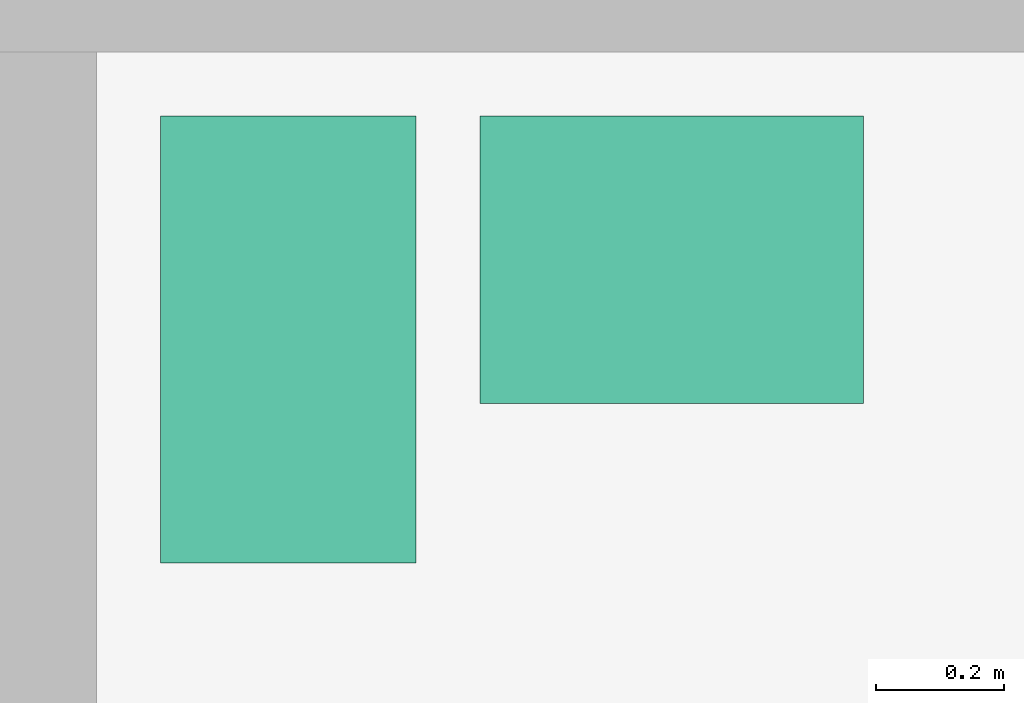
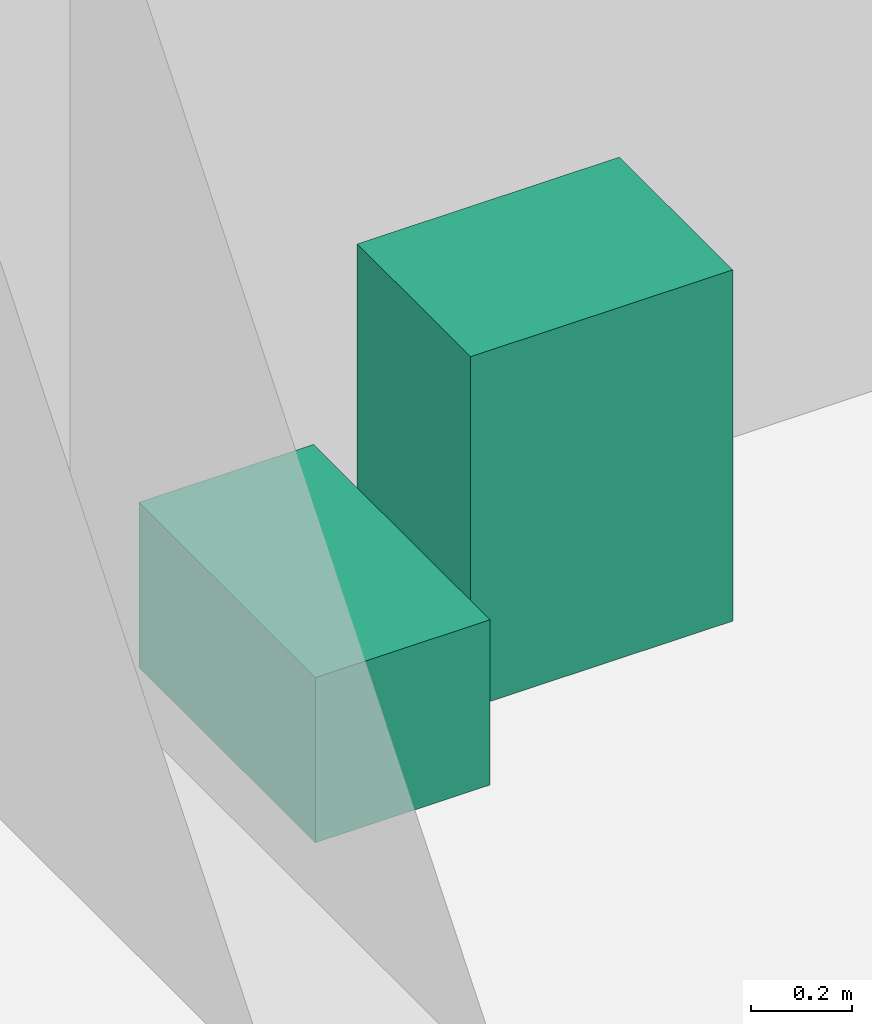
# One storey, part 16 of 16: 2 sanitary terminals.
"""IFC4 building model written with IfcOpenShell, lengths in metres."""

from ifc_helpers import new_model, si_unit, direction, frame, origin, origin_2d, place, context, subcontext, project, spatial, rectangle, extrude, element, save


model = new_model("IFC4")

# Units and contexts
model_context = context("Model", 3, precision=1e-05, world=origin(), true_north=direction((0.0, 1.0)))
body_context = subcontext(model_context, "Body", "Model", "MODEL_VIEW")
ifc_project = project(units=[si_unit("LENGTHUNIT", "METRE"), si_unit("AREAUNIT", "SQUARE_METRE"), si_unit("VOLUMEUNIT", "CUBIC_METRE"), si_unit("PLANEANGLEUNIT", "RADIAN"), si_unit("MASSUNIT", "GRAM", prefix="KILO")], contexts=[model_context])

# Site, building, storey
site_placement = place(None, origin())
site = spatial("IfcSite", under=ifc_project, at=site_placement, CompositionType="ELEMENT")
building_placement = place(site_placement, origin())
building = spatial("IfcBuilding", under=site, at=building_placement, Name="Hankou Lantern Tower", CompositionType="ELEMENT")
storey_placement = place(building_placement, frame((0.0, 0.0, 166.5)))
storey = spatial("IfcBuildingStorey", under=building, at=storey_placement, Name="L44", CompositionType="ELEMENT", Elevation=166.5)

# Sanitary terminals
sanitary_terminal_1_placement = place(storey_placement, frame((-8.5, -2.199951171875, 0.0), z_axis=(0.0, 0.0, 1.0), x_axis=(1.0, 0.0, 0.0)))
element("IfcSanitaryTerminal", 1, at=sanitary_terminal_1_placement, inside=storey, Name="Accessible staff WC WC pan 1", PredefinedType="TOILETPAN", context=body_context, shape_type="SweptSolid", body=[
    extrude(rectangle(XDim=0.39990234375, YDim=0.699951171875, at=origin_2d()), origin(), (0.0, 0.0, 1.0), 0.39990234375),
])
sanitary_terminal_2_placement = place(storey_placement, frame((-7.89990234375, -2.074951171875, 0.0), z_axis=(0.0, 0.0, 1.0), x_axis=(1.0, 0.0, 0.0)))
element("IfcSanitaryTerminal", 2, at=sanitary_terminal_2_placement, inside=storey, Name="Accessible staff WC wash basin 1", PredefinedType="WASHHANDBASIN", context=body_context, shape_type="SweptSolid", body=[
    extrude(rectangle(XDim=0.60009765625, YDim=0.449951171875, at=origin_2d()), origin(), (0.0, 0.0, 1.0), 0.85009765625),
])

save(model, "model.ifc")
